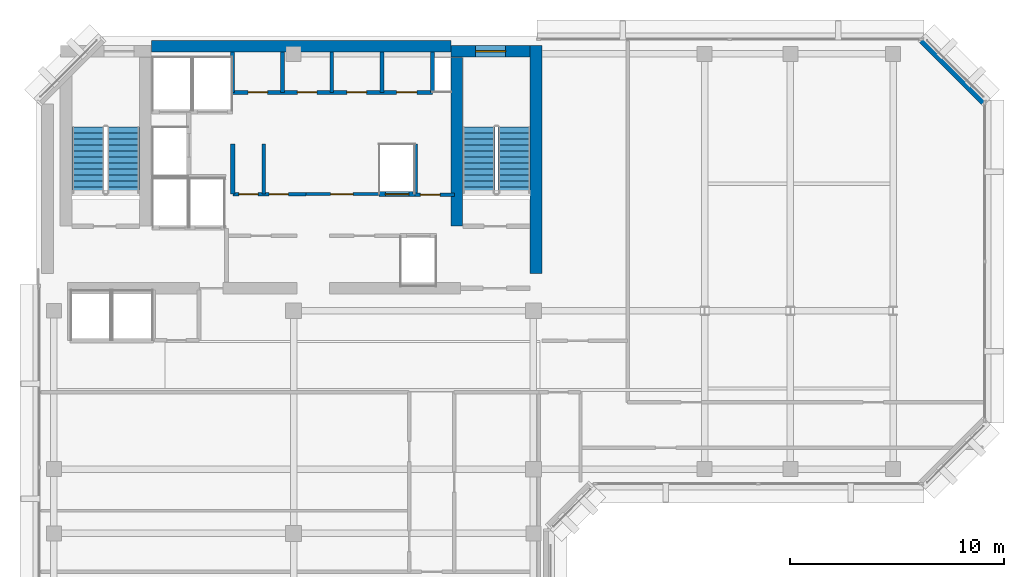
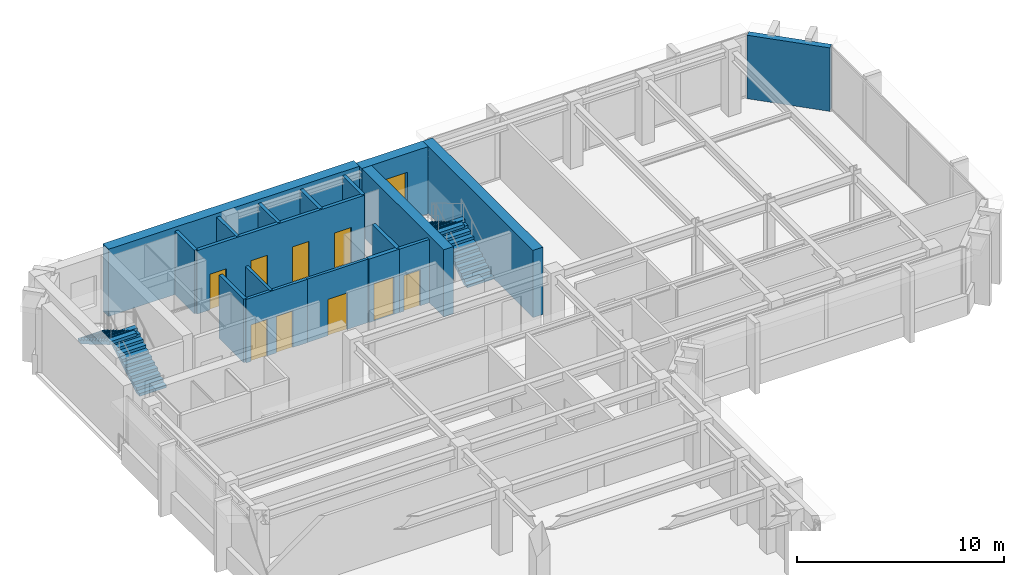
# One storey, part 8 of 12: 18 walls, 9 doors, 4 stair flights, 1 window, 10 openings, 2 elements without a shape of their own.
"""IFC4 building model written with IfcOpenShell, lengths in metres."""

from ifc_helpers import new_model, si_unit, direction, frame, frame_2d, origin, place, context, subcontext, project, spatial, polyline, rectangle, outline, extrude, material, layer, layer_set, type_object, element, fill, aggregate, save


model = new_model("IFC4")

# Units and contexts
model_context = context("Model", 3, precision=1e-05, world=origin(), true_north=direction((0.0, 1.0)))
body_context = subcontext(model_context, "Body", "Model", "MODEL_VIEW")
ifc_project = project(units=[si_unit("LENGTHUNIT", "METRE"), si_unit("AREAUNIT", "SQUARE_METRE"), si_unit("VOLUMEUNIT", "CUBIC_METRE"), si_unit("PLANEANGLEUNIT", "RADIAN"), si_unit("MASSUNIT", "GRAM", prefix="KILO")], contexts=[model_context])

# Site, building, storey
site_placement = place(None, origin())
site = spatial("IfcSite", under=ifc_project, at=site_placement, CompositionType="ELEMENT")
building_placement = place(site_placement, origin())
building = spatial("IfcBuilding", under=site, at=building_placement, Name="Kefirva Bronze Tower", CompositionType="ELEMENT")
storey_placement = place(building_placement, frame((0.0, 0.0, 327.68994140625)))
storey = spatial("IfcBuildingStorey", under=building, at=storey_placement, Name="L80", CompositionType="ELEMENT", Elevation=327.68994140625)

# Wall, opening, door
ifc_material_1 = material(Name="Gypsum acoustic partition")
ifc_layer_1 = layer(ifc_material_1, 0.14990234375, Name="Gypsum acoustic partition")
ifc_layer_set_1 = layer_set([ifc_layer_1], Name="Gypsum acoustic partition")
wall_type_1 = type_object("IfcWallType", Name="Executive Suite Partition 150mm", PredefinedType="PARTITIONING", material=ifc_layer_set_1)
wall_1_placement = place(storey_placement, frame((12.580078125, 38.64990234375, 0.0), z_axis=(0.0, 0.0, 1.0), x_axis=(1.0, 0.0, 0.0)))
wall_1 = element("IfcWall", 1, at=wall_1_placement, inside=storey, type_object=wall_type_1, Name="L80 Partition W-L80-RECMP2", PredefinedType="PARTITIONING", context=body_context, shape_type="SweptSolid", body=[
    extrude(rectangle(XDim=3.3798828125, YDim=0.14990234375, at=frame_2d((1.68994140625, 0.0))), origin(), (0.0, 0.0, 1.0), 3.739990234375),
])
opening_1_placement = place(wall_1_placement, frame((2.199951171875, 0.0, 0.0), z_axis=(0.0, 0.0, 1.0), x_axis=(-1.0, 0.0, 0.0)))
opening_1 = element("IfcOpeningElement", 2, at=opening_1_placement, cuts=wall_1, Name="Opening L80-D-RECMP2", PredefinedType="OPENING", context=body_context, shape_type="SweptSolid", body=[
    extrude(rectangle(XDim=1.050048828125, YDim=2.14990234375, at=frame_2d((0.52490234375, 1.074951171875))), frame((0.0, 0.0849609375, 0.0), z_axis=(0.0, -1.0, 0.0), x_axis=(1.0, 0.0, 0.0)), (0.0, 0.0, 1.0), 0.169921875),
])
ifc_material_2 = material(Name="Acoustic hardwood oak", Category="wood")
door_type_1 = type_object("IfcDoorType", Name="Executive & Boardroom Door 1050x2150", OperationType="NOTDEFINED", PredefinedType="DOOR", material=ifc_material_2)
door_1_placement = place(opening_1_placement, origin())
door_1 = element("IfcDoor", 3, at=door_1_placement, inside=storey, type_object=door_type_1, Name="Door L80-D-RECMP2", OperationType="SINGLE_SWING_RIGHT", OverallHeight=2.14990234375, OverallWidth=1.050048828125, PredefinedType="DOOR", context=body_context, shape_type="SweptSolid", body=[
    extrude(rectangle(XDim=1.050048828125, YDim=2.14990234375, at=frame_2d((0.52490234375, 1.074951171875))), frame((0.0, 0.02490234375, 0.0), z_axis=(0.0, -1.0, 0.0), x_axis=(1.0, 0.0, 0.0)), (0.0, 0.0, 1.0), 0.050048828125),
])
fill(opening_1, door_1)

# Walls
ifc_material_3 = material(Name="Gypsum fireboard shaftwall")
ifc_layer_2 = layer(ifc_material_3, 0.219970703125, Name="Gypsum fireboard shaftwall")
ifc_layer_set_2 = layer_set([ifc_layer_2], Name="Gypsum fireboard shaftwall")
wall_type_2 = type_object("IfcWallType", Name="Fire-Rated Shaft Enclosure Wall 220mm", PredefinedType="PARTITIONING", material=ifc_layer_set_2)
for number, where, z_axis, x_axis, name in (
    (4, (9.159912109375, 38.64990234375, 0.0), (0.0, 0.0, 1.0), (0.0, 1.0, 0.0), "L80 Partition W-L80-LP3W"),
    (5, (17.679931640625, 38.64990234375, 0.0), (0.0, 0.0, 1.0), (0.0, 1.0, 0.0), "L80 Partition W-L80-HP2E"),
):
    element("IfcWall", number, at=place(storey_placement, frame(where, z_axis=z_axis, x_axis=x_axis)), inside=storey, type_object=wall_type_2, Name=name, PredefinedType="PARTITIONING", context=body_context, shape_type="SweptSolid", body=[
        extrude(rectangle(XDim=2.35009765625, YDim=0.199951171875, at=frame_2d((1.175048828125, 0.0))), origin(), (0.0, 0.0, 1.0), 3.739990234375),
    ])

# Wall, opening, door
wall_2_placement = place(storey_placement, frame((15.97998046875, 38.64990234375, 0.0), z_axis=(0.0, 0.0, 1.0), x_axis=(1.0, 0.0, 0.0)))
wall_2 = element("IfcWall", 6, at=wall_2_placement, inside=storey, type_object=wall_type_2, Name="L80 Partition W-L80-HPN", PredefinedType="PARTITIONING", context=body_context, shape_type="SweptSolid", body=[
    extrude(rectangle(XDim=1.719970703125, YDim=0.219970703125, at=frame_2d((0.85986328125, 0.0))), origin(), (0.0, 0.0, 1.0), 3.739990234375),
])
opening_2_placement = place(wall_2_placement, frame((0.300048828125, 0.0, 0.0)))
opening_2 = element("IfcOpeningElement", 7, at=opening_2_placement, cuts=wall_2, Name="Opening L80-LD-HP2", PredefinedType="OPENING", context=body_context, shape_type="SweptSolid", body=[
    extrude(rectangle(XDim=1.10009765625, YDim=2.199951171875, at=frame_2d((0.550048828125, 1.10009765625))), frame((0.0, 0.1201171875, 0.0), z_axis=(0.0, -1.0, 0.0), x_axis=(1.0, 0.0, 0.0)), (0.0, 0.0, 1.0), 0.239990234375),
])
ifc_material_4 = material(Name="Stainless steel 316", Category="steel")
door_type_2 = type_object("IfcDoorType", Name="Passenger Lift Sliding Landing Door 1100x2200", OperationType="SLIDING_TO_LEFT", PredefinedType="DOOR", material=ifc_material_4)
door_2_placement = place(opening_2_placement, origin())
door_2 = element("IfcDoor", 8, at=door_2_placement, inside=storey, type_object=door_type_2, Name="Door L80-LD-HP2", OperationType="SLIDING_TO_LEFT", OverallHeight=2.199951171875, OverallWidth=1.10009765625, PredefinedType="DOOR", context=body_context, shape_type="SweptSolid", body=[
    extrude(rectangle(XDim=1.10009765625, YDim=2.199951171875, at=frame_2d((0.550048828125, 1.10009765625))), frame((0.0, 0.02490234375, 0.0), z_axis=(0.0, -1.0, 0.0), x_axis=(1.0, 0.0, 0.0)), (0.0, 0.0, 1.0), 0.050048828125),
])
fill(opening_2, door_2)

ifc_material_5 = material(Name="Gypsum fireboard barrier")
ifc_layer_3 = layer(ifc_material_5, 0.199951171875, Name="Gypsum fireboard barrier")
ifc_layer_set_3 = layer_set([ifc_layer_3], Name="Gypsum fireboard barrier")
wall_type_3 = type_object("IfcWallType", Name="Firefighting Lobby Barrier Wall 200mm", PredefinedType="PARTITIONING", material=ifc_layer_set_3)
wall_3_placement = place(storey_placement, frame((17.679931640625, 38.6201171875, 0.0), z_axis=(0.0, 0.0, 1.0), x_axis=(1.0, 0.0, 0.0)))
wall_3 = element("IfcWall", 9, at=wall_3_placement, inside=storey, type_object=wall_type_3, Name="L80 Partition W-L80-CPASS", PredefinedType="PARTITIONING", context=body_context, shape_type="SweptSolid", body=[
    extrude(rectangle(XDim=1.840087890625, YDim=0.179931640625, at=frame_2d((0.919921875, 0.0))), origin(), (0.0, 0.0, 1.0), 3.739990234375),
])
opening_3_placement = place(wall_3_placement, frame((0.239990234375, 0.0, 0.0)))
opening_3 = element("IfcOpeningElement", 10, at=opening_3_placement, cuts=wall_3, Name="Opening L80-D-CPAS", PredefinedType="OPENING", context=body_context, shape_type="SweptSolid", body=[
    extrude(rectangle(XDim=0.919921875, YDim=2.10009765625, at=frame_2d((0.4599609375, 1.050048828125))), frame((0.0, 0.10009765625, 0.0), z_axis=(0.0, -1.0, 0.0), x_axis=(1.0, 0.0, 0.0)), (0.0, 0.0, 1.0), 0.199951171875),
])
ifc_material_6 = material(Name="Moisture-resistant timber", Category="wood")
door_type_3 = type_object("IfcDoorType", Name="Accessible Sanitary & WC Door 920x2100", OperationType="NOTDEFINED", PredefinedType="DOOR", material=ifc_material_6)
door_3_placement = place(opening_3_placement, origin())
door_3 = element("IfcDoor", 11, at=door_3_placement, inside=storey, type_object=door_type_3, Name="Door L80-D-CPAS", OperationType="SINGLE_SWING_RIGHT", OverallHeight=2.10009765625, OverallWidth=0.919921875, PredefinedType="DOOR", context=body_context, shape_type="SweptSolid", body=[
    extrude(rectangle(XDim=0.919921875, YDim=2.10009765625, at=frame_2d((0.4599609375, 1.050048828125))), frame((0.0, 0.02490234375, 0.0), z_axis=(0.0, -1.0, 0.0), x_axis=(1.0, 0.0, 0.0)), (0.0, 0.0, 1.0), 0.050048828125),
])
fill(opening_3, door_3)

# Wall
ifc_material_7 = material(Name="Precast concrete C40/50", Category="concrete")
ifc_layer_4 = layer(ifc_material_7, 0.320068359375, Name="Precast concrete C40/50")
ifc_layer_set_4 = layer_set([ifc_layer_4], Name="Precast concrete C40/50")
wall_type_4 = type_object("IfcWallType", Name="Precast Insulated Exterior Wall 320mm", PredefinedType="SOLIDWALL", material=ifc_layer_set_4)
wall_4_placement = place(storey_placement, frame((44.248046875, 42.92578125, 0.0), z_axis=(0.0, 0.0, 1.0), x_axis=(-0.707136318428, 0.707077242712, 0.0)))
element("IfcWall", 12, at=wall_4_placement, inside=storey, type_object=wall_type_4, Name="L80 Exterior Facade Wall 8", PredefinedType="SOLIDWALL", context=body_context, shape_type="SweptSolid", body=[
    extrude(rectangle(XDim=4.132568359375, YDim=0.320068359375, at=frame_2d((2.06640625, 0.0))), origin(), (0.0, 0.0, 1.0), 3.739990234375),
])

# Wall, openings, doors
ifc_layer_5 = layer(ifc_material_1, 0.159912109375, Name="Gypsum acoustic partition")
ifc_layer_set_5 = layer_set([ifc_layer_5], Name="Gypsum acoustic partition")
wall_type_5 = type_object("IfcWallType", Name="Protected Corridor Partition 160mm", PredefinedType="PARTITIONING", material=ifc_layer_set_5)
wall_5_placement = place(storey_placement, frame((9.159912109375, 38.64990234375, 0.0), z_axis=(0.0, 0.0, 1.0), x_axis=(1.0, 0.0, 0.0)))
wall_5 = element("IfcWall", 13, at=wall_5_placement, inside=storey, type_object=wall_type_5, Name="L80 Partition W-L80-RECLP2", PredefinedType="PARTITIONING", context=body_context, shape_type="SweptSolid", body=[
    extrude(rectangle(XDim=3.420166015625, YDim=0.159912109375, at=frame_2d((1.7099609375, 0.0))), origin(), (0.0, 0.0, 1.0), 3.739990234375),
])
opening_4_placement = place(wall_5_placement, frame((1.179931640625, 0.0, 0.0), z_axis=(0.0, 0.0, 1.0), x_axis=(-1.0, 0.0, 0.0)))
opening_4 = element("IfcOpeningElement", 14, at=opening_4_placement, cuts=wall_5, Name="Opening L80-D-RECLP2A", PredefinedType="OPENING", context=body_context, shape_type="SweptSolid", body=[
    extrude(rectangle(XDim=0.89990234375, YDim=2.14990234375, at=frame_2d((0.449951171875, 1.074951171875))), frame((0.0, 0.08984375, 0.0), z_axis=(0.0, -1.0, 0.0), x_axis=(1.0, 0.0, 0.0)), (0.0, 0.0, 1.0), 0.179931640625),
])
opening_5_placement = place(wall_5_placement, frame((2.599853515625, 0.0, 0.0), z_axis=(0.0, 0.0, 1.0), x_axis=(-1.0, 0.0, 0.0)))
opening_5 = element("IfcOpeningElement", 15, at=opening_5_placement, cuts=wall_5, Name="Opening L80-D-RECLP2B", PredefinedType="OPENING", context=body_context, shape_type="SweptSolid", body=[
    extrude(rectangle(XDim=0.89990234375, YDim=2.14990234375, at=frame_2d((0.449951171875, 1.074951171875))), frame((0.0, 0.08984375, 0.0), z_axis=(0.0, -1.0, 0.0), x_axis=(1.0, 0.0, 0.0)), (0.0, 0.0, 1.0), 0.179931640625),
])
ifc_material_8 = material(Name="Painted galvanized steel", Category="steel")
door_type_4 = type_object("IfcDoorType", Name="Core Archive & Server Fire Door 900x2150 FD60S", OperationType="NOTDEFINED", PredefinedType="DOOR", material=ifc_material_8)
door_4_placement = place(opening_4_placement, origin())
door_4 = element("IfcDoor", 16, at=door_4_placement, inside=storey, type_object=door_type_4, Name="Door L80-D-RECLP2A", OperationType="SINGLE_SWING_LEFT", OverallHeight=2.14990234375, OverallWidth=0.89990234375, PredefinedType="DOOR", context=body_context, shape_type="SweptSolid", body=[
    extrude(rectangle(XDim=0.89990234375, YDim=2.14990234375, at=frame_2d((0.449951171875, 1.074951171875))), frame((0.0, 0.02490234375, 0.0), z_axis=(0.0, -1.0, 0.0), x_axis=(1.0, 0.0, 0.0)), (0.0, 0.0, 1.0), 0.050048828125),
])
fill(opening_4, door_4)
door_5_placement = place(opening_5_placement, origin())
door_5 = element("IfcDoor", 17, at=door_5_placement, inside=storey, type_object=door_type_4, Name="Door L80-D-RECLP2B", OperationType="SINGLE_SWING_RIGHT", OverallHeight=2.14990234375, OverallWidth=0.89990234375, PredefinedType="DOOR", context=body_context, shape_type="SweptSolid", body=[
    extrude(rectangle(XDim=0.89990234375, YDim=2.14990234375, at=frame_2d((0.449951171875, 1.074951171875))), frame((0.0, 0.02490234375, 0.0), z_axis=(0.0, -1.0, 0.0), x_axis=(1.0, 0.0, 0.0)), (0.0, 0.0, 1.0), 0.050048828125),
])
fill(opening_5, door_5)

# Walls
wall_6_placement = place(storey_placement, frame((10.60009765625, 38.64990234375, 0.0), z_axis=(0.0, 0.0, 1.0), x_axis=(0.0, 1.0, 0.0)))
element("IfcWall", 18, at=wall_6_placement, inside=storey, type_object=wall_type_5, Name="L80 Partition W-L80-RECLP2D", PredefinedType="PARTITIONING", context=body_context, shape_type="SweptSolid", body=[
    extrude(rectangle(XDim=2.35009765625, YDim=0.159912109375, at=frame_2d((1.175048828125, 0.0))), origin(), (0.0, 0.0, 1.0), 3.739990234375),
])
ifc_material_9 = material(Name="Concrete C50/60", Category="concrete")
ifc_layer_6 = layer(ifc_material_9, 0.550048828125, Name="Concrete C50/60")
ifc_layer_set_6 = layer_set([ifc_layer_6], Name="Concrete C50/60")
wall_type_6 = type_object("IfcWallType", Name="RC Rear Core Exterior Wall 550mm", PredefinedType="SHEAR", material=ifc_layer_set_6)
wall_7_placement = place(storey_placement, frame((5.360107421875, 45.550048828125, 0.0), z_axis=(0.0, 0.0, 1.0), x_axis=(1.0, 0.0, 0.0)))
element("IfcWall", 19, at=wall_7_placement, inside=storey, type_object=wall_type_6, Name="L80 Rear Core North Shear Wall", PredefinedType="SHEAR", context=body_context, shape_type="SweptSolid", body=[
    extrude(rectangle(XDim=13.97998046875, YDim=0.550048828125, at=frame_2d((6.989990234375, 0.0))), origin(), (0.0, 0.0, 1.0), 3.9599609375),
])

# Wall, opening, window
wall_8_placement = place(storey_placement, frame((19.35009765625, 45.320068359375, 0.0), z_axis=(0.0, 0.0, 1.0), x_axis=(1.0, 0.0, 0.0)))
wall_8 = element("IfcWall", 20, at=wall_8_placement, inside=storey, type_object=wall_type_6, Name="L80 Stair 2 North Shear Wall", PredefinedType="SHEAR", context=body_context, shape_type="SweptSolid", body=[
    extrude(rectangle(XDim=3.68994140625, YDim=0.550048828125, at=frame_2d((1.844970703125, 0.0))), origin(), (0.0, 0.0, 1.0), 3.9599609375),
])
opening_6_placement = place(wall_8_placement, frame((1.14990234375, 0.0, 1.050048828125)))
opening_6 = element("IfcOpeningElement", 21, at=opening_6_placement, cuts=wall_8, Name="Opening WN-03", PredefinedType="OPENING", context=body_context, shape_type="SweptSolid", body=[
    extrude(rectangle(XDim=1.39990234375, YDim=1.800048828125, at=frame_2d((0.699951171875, 0.89990234375))), frame((0.0, 0.28515625, 0.0), z_axis=(0.0, -1.0, 0.0), x_axis=(1.0, 0.0, 0.0)), (0.0, 0.0, 1.0), 0.570068359375),
])
ifc_material_10 = material(Name="Laminated low-E double glazing", Category="glass")
window_type = type_object("IfcWindowType", Name="Rear-Core Stair Daylight Window 1400x1800", PartitioningType="SINGLE_PANEL", PredefinedType="WINDOW", material=ifc_material_10)
window_placement = place(opening_6_placement, origin())
window = element("IfcWindow", 22, at=window_placement, inside=storey, type_object=window_type, Name="L80 Stair 2 Daylight Window", OverallHeight=1.800048828125, OverallWidth=1.39990234375, PartitioningType="SINGLE_PANEL", PredefinedType="WINDOW", context=body_context, shape_type="SweptSolid", body=[
    extrude(rectangle(XDim=1.39990234375, YDim=1.800048828125, at=frame_2d((0.699951171875, 0.89990234375))), frame((0.0, 0.030029296875, 0.0), z_axis=(0.0, -1.0, 0.0), x_axis=(1.0, 0.0, 0.0)), (0.0, 0.0, 1.0), 0.06005859375),
])
fill(opening_6, window)

# Walls
ifc_layer_7 = layer(ifc_material_9, 0.550048828125, Name="Concrete C50/60")
ifc_layer_set_7 = layer_set([ifc_layer_7], Name="Concrete C50/60")
wall_type_7 = type_object("IfcWallType", Name="RC Rear Core Interior Wall 550mm", PredefinedType="SHEAR", material=ifc_layer_set_7)
wall_9_placement = place(storey_placement, frame((23.324951171875, 34.949951171875, 0.0), z_axis=(0.0, 0.0, 1.0), x_axis=(0.0, 1.0, 0.0)))
element("IfcWall", 23, at=wall_9_placement, inside=storey, type_object=wall_type_7, Name="L80 Rear Core East Shear Wall", PredefinedType="SHEAR", context=body_context, shape_type="SweptSolid", body=[
    extrude(rectangle(XDim=10.64013671875, YDim=0.550048828125, at=frame_2d((5.320068359375, 0.0))), origin(), (0.0, 0.0, 1.0), 3.9599609375),
])
wall_10_placement = place(storey_placement, frame((19.6201171875, 37.14990234375, 0.0), z_axis=(0.0, 0.0, 1.0), x_axis=(0.0, 1.0, 0.0)))
element("IfcWall", 24, at=wall_10_placement, inside=storey, type_object=wall_type_7, Name="L80 Stair 2 West Shear Wall", PredefinedType="SHEAR", context=body_context, shape_type="SweptSolid", body=[
    extrude(rectangle(XDim=7.89013671875, YDim=0.550048828125, at=frame_2d((3.945068359375, 0.0))), origin(), (0.0, 0.0, 1.0), 3.9599609375),
])

# Wall, openings, doors
ifc_material_11 = material(Name="Moisture-resistant partition")
ifc_layer_8 = layer(ifc_material_11, 0.179931640625, Name="Moisture-resistant partition")
ifc_layer_set_8 = layer_set([ifc_layer_8], Name="Moisture-resistant partition")
wall_type_8 = type_object("IfcWallType", Name="Sanitary Plumbing Chase Wall 180mm", PredefinedType="PLUMBINGWALL", material=ifc_layer_set_8)
wall_11_placement = place(storey_placement, frame((9.14990234375, 43.39990234375, 0.0), z_axis=(0.0, 0.0, 1.0), x_axis=(1.0, 0.0, 0.0)))
wall_11 = element("IfcWall", 25, at=wall_11_placement, inside=storey, type_object=wall_type_8, Name="L80 Partition W-L80-SVCS", PredefinedType="PLUMBINGWALL", context=body_context, shape_type="SweptSolid", body=[
    extrude(rectangle(XDim=9.330078125, YDim=0.179931640625, at=frame_2d((4.6650390625, 0.0))), origin(), (0.0, 0.0, 1.0), 3.739990234375),
])
opening_7_placement = place(wall_11_placement, frame((0.719970703125, 0.0, 0.0)))
opening_7 = element("IfcOpeningElement", 26, at=opening_7_placement, cuts=wall_11, Name="Opening L80-D-CSVC1", PredefinedType="OPENING", context=body_context, shape_type="SweptSolid", body=[
    extrude(rectangle(XDim=0.919921875, YDim=2.10009765625, at=frame_2d((0.4599609375, 1.050048828125))), frame((0.0, 0.10009765625, 0.0), z_axis=(0.0, -1.0, 0.0), x_axis=(1.0, 0.0, 0.0)), (0.0, 0.0, 1.0), 0.199951171875),
])
opening_8_placement = place(wall_11_placement, frame((3.02001953125, 0.0, 0.0)))
opening_8 = element("IfcOpeningElement", 27, at=opening_8_placement, cuts=wall_11, Name="Opening L80-D-CSVC2", PredefinedType="OPENING", context=body_context, shape_type="SweptSolid", body=[
    extrude(rectangle(XDim=0.919921875, YDim=2.10009765625, at=frame_2d((0.4599609375, 1.050048828125))), frame((0.0, 0.10009765625, 0.0), z_axis=(0.0, -1.0, 0.0), x_axis=(1.0, 0.0, 0.0)), (0.0, 0.0, 1.0), 0.199951171875),
])
opening_9_placement = place(wall_11_placement, frame((5.340087890625, 0.0, 0.0)))
opening_9 = element("IfcOpeningElement", 28, at=opening_9_placement, cuts=wall_11, Name="Opening L80-D-CSVC3", PredefinedType="OPENING", context=body_context, shape_type="SweptSolid", body=[
    extrude(rectangle(XDim=0.919921875, YDim=2.10009765625, at=frame_2d((0.4599609375, 1.050048828125))), frame((0.0, 0.10009765625, 0.0), z_axis=(0.0, -1.0, 0.0), x_axis=(1.0, 0.0, 0.0)), (0.0, 0.0, 1.0), 0.199951171875),
])
opening_10_placement = place(wall_11_placement, frame((7.659912109375, 0.0, 0.0)))
opening_10 = element("IfcOpeningElement", 29, at=opening_10_placement, cuts=wall_11, Name="Opening L80-D-CSVC4", PredefinedType="OPENING", context=body_context, shape_type="SweptSolid", body=[
    extrude(rectangle(XDim=0.949951171875, YDim=2.10009765625, at=frame_2d((0.47509765625, 1.050048828125))), frame((0.0, 0.10009765625, 0.0), z_axis=(0.0, -1.0, 0.0), x_axis=(1.0, 0.0, 0.0)), (0.0, 0.0, 1.0), 0.199951171875),
])
door_6_placement = place(opening_7_placement, origin())
door_6 = element("IfcDoor", 30, at=door_6_placement, inside=storey, type_object=door_type_3, Name="Door L80-D-CSVC1", OperationType="SINGLE_SWING_LEFT", OverallHeight=2.10009765625, OverallWidth=0.919921875, PredefinedType="DOOR", context=body_context, shape_type="SweptSolid", body=[
    extrude(rectangle(XDim=0.919921875, YDim=2.10009765625, at=frame_2d((0.4599609375, 1.050048828125))), frame((0.0, 0.02490234375, 0.0), z_axis=(0.0, -1.0, 0.0), x_axis=(1.0, 0.0, 0.0)), (0.0, 0.0, 1.0), 0.050048828125),
])
fill(opening_7, door_6)
door_7_placement = place(opening_8_placement, origin())
door_7 = element("IfcDoor", 31, at=door_7_placement, inside=storey, type_object=door_type_3, Name="Door L80-D-CSVC2", OperationType="SINGLE_SWING_RIGHT", OverallHeight=2.10009765625, OverallWidth=0.919921875, PredefinedType="DOOR", context=body_context, shape_type="SweptSolid", body=[
    extrude(rectangle(XDim=0.919921875, YDim=2.10009765625, at=frame_2d((0.4599609375, 1.050048828125))), frame((0.0, 0.02490234375, 0.0), z_axis=(0.0, -1.0, 0.0), x_axis=(1.0, 0.0, 0.0)), (0.0, 0.0, 1.0), 0.050048828125),
])
fill(opening_8, door_7)
door_8_placement = place(opening_9_placement, origin())
door_8 = element("IfcDoor", 32, at=door_8_placement, inside=storey, type_object=door_type_3, Name="Door L80-D-CSVC3", OperationType="SINGLE_SWING_LEFT", OverallHeight=2.10009765625, OverallWidth=0.919921875, PredefinedType="DOOR", context=body_context, shape_type="SweptSolid", body=[
    extrude(rectangle(XDim=0.919921875, YDim=2.10009765625, at=frame_2d((0.4599609375, 1.050048828125))), frame((0.0, 0.02490234375, 0.0), z_axis=(0.0, -1.0, 0.0), x_axis=(1.0, 0.0, 0.0)), (0.0, 0.0, 1.0), 0.050048828125),
])
fill(opening_9, door_8)
door_type_5 = type_object("IfcDoorType", Name="Riser & Plant Shaft Fire Door 950x2100 FD60S", OperationType="NOTDEFINED", PredefinedType="DOOR", material=ifc_material_8)
door_9_placement = place(opening_10_placement, origin())
door_9 = element("IfcDoor", 33, at=door_9_placement, inside=storey, type_object=door_type_5, Name="Door L80-D-CSVC4", OperationType="SINGLE_SWING_RIGHT", OverallHeight=2.10009765625, OverallWidth=0.949951171875, PredefinedType="DOOR", context=body_context, shape_type="SweptSolid", body=[
    extrude(rectangle(XDim=0.949951171875, YDim=2.10009765625, at=frame_2d((0.47509765625, 1.050048828125))), frame((0.0, 0.02490234375, 0.0), z_axis=(0.0, -1.0, 0.0), x_axis=(1.0, 0.0, 0.0)), (0.0, 0.0, 1.0), 0.050048828125),
])
fill(opening_10, door_9)

# Walls
for number, where, z_axis, x_axis, name in (
    (34, (9.14990234375, 43.39990234375, 0.0), (0.0, 0.0, 1.0), (0.0, 1.0, 0.0), "L80 Partition W-L80-SVCW"),
    (35, (18.47998046875, 43.39990234375, 0.0), (0.0, 0.0, 1.0), (0.0, 1.0, 0.0), "L80 Partition W-L80-SVCE"),
    (36, (11.47998046875, 43.39990234375, 0.0), (0.0, 0.0, 1.0), (0.0, 1.0, 0.0), "L80 Partition W-L80-CSVD-1"),
    (37, (13.780029296875, 43.39990234375, 0.0), (0.0, 0.0, 1.0), (0.0, 1.0, 0.0), "L80 Partition W-L80-CSVD-2"),
    (38, (16.1201171875, 43.39990234375, 0.0), (0.0, 0.0, 1.0), (0.0, 1.0, 0.0), "L80 Partition W-L80-CSVD-3"),
):
    element("IfcWall", number, at=place(storey_placement, frame(where, z_axis=z_axis, x_axis=x_axis)), inside=storey, type_object=wall_type_8, Name=name, PredefinedType="PLUMBINGWALL", context=body_context, shape_type="SweptSolid", body=[
        extrude(rectangle(XDim=1.880126953125, YDim=0.179931640625, at=frame_2d((0.93994140625, 0.0))), origin(), (0.0, 0.0, 1.0), 3.739990234375),
    ])

# Stair, stair flights
ifc_material_12 = material(Name="Concrete C40/50", Category="concrete")
stair_type = type_object("IfcStairType", Name="RC Dogleg Protected Stair 24R", PredefinedType="HALF_TURN_STAIR", material=ifc_material_12)
stair_1_placement = place(storey_placement, origin())
stair_1 = element("IfcStair", 39, at=stair_1_placement, inside=storey, type_object=stair_type, Name="L80 Protected Exit Stair 1", PredefinedType="HALF_TURN_STAIR")
stair_flight_type = type_object("IfcStairFlightType", Name="RC Straight Stair Flight 24R", PredefinedType="STRAIGHT", material=ifc_material_12)
stair_flight_1_placement = place(storey_placement, frame((4.050048828125, 38.699951171875, 0.0), z_axis=(0.0, 0.0, 1.0), x_axis=(0.0, 1.0, 0.0)))
stair_flight_1 = element("IfcStairFlight", 40, at=stair_flight_1_placement, type_object=stair_flight_type, Name="ST-1 flight 1", NumberOfRisers=12, NumberOfTreads=11, PredefinedType="STRAIGHT", RiserHeight=0.165, TreadLength=0.28, context=body_context, shape_type="SweptSolid", body=[
    extrude(outline(polyline([(0.0, 0.0), (0.0, 0.1650390625), (0.280029296875, 0.1650390625), (0.280029296875, 0.330078125), (0.56005859375, 0.330078125), (0.56005859375, 0.4951171875), (0.840087890625, 0.4951171875), (0.840087890625, 0.659912109375), (1.1201171875, 0.659912109375), (1.1201171875, 0.824951171875), (1.39990234375, 0.824951171875), (1.39990234375, 0.989990234375), (1.679931640625, 0.989990234375), (1.679931640625, 1.155029296875), (1.9599609375, 1.155029296875), (1.9599609375, 1.320068359375), (2.239990234375, 1.320068359375), (2.239990234375, 1.485107421875), (2.52001953125, 1.485107421875), (2.52001953125, 1.64990234375), (2.800048828125, 1.64990234375), (2.800048828125, 1.81494140625), (3.080078125, 1.81494140625), (3.080078125, 1.97998046875), (3.080078125, 1.64111328125), (0.295166015625, 0.0), (0.0, 0.0)])), frame((0.0, 0.75, 0.0), z_axis=(0.0, -1.0, 0.0), x_axis=(1.0, 0.0, 0.0)), (0.0, 0.0, 1.0), 1.5),
])
stair_flight_2_placement = place(storey_placement, frame((2.39990234375, 41.780029296875, 1.97998046875), z_axis=(0.0, 0.0, 1.0), x_axis=(0.0, -1.0, 0.0)))
stair_flight_2 = element("IfcStairFlight", 41, at=stair_flight_2_placement, type_object=stair_flight_type, Name="ST-1 flight 2", NumberOfRisers=12, NumberOfTreads=11, PredefinedType="STRAIGHT", RiserHeight=0.165, TreadLength=0.28, context=body_context, shape_type="SweptSolid", body=[
    extrude(outline(polyline([(0.0, 0.0), (0.0, 0.1650390625), (0.280029296875, 0.1650390625), (0.280029296875, 0.330078125), (0.56005859375, 0.330078125), (0.56005859375, 0.4951171875), (0.840087890625, 0.4951171875), (0.840087890625, 0.659912109375), (1.1201171875, 0.659912109375), (1.1201171875, 0.824951171875), (1.39990234375, 0.824951171875), (1.39990234375, 0.989990234375), (1.679931640625, 0.989990234375), (1.679931640625, 1.155029296875), (1.9599609375, 1.155029296875), (1.9599609375, 1.320068359375), (2.239990234375, 1.320068359375), (2.239990234375, 1.485107421875), (2.52001953125, 1.485107421875), (2.52001953125, 1.64990234375), (2.800048828125, 1.64990234375), (2.800048828125, 1.81494140625), (3.080078125, 1.81494140625), (3.080078125, 1.97998046875), (3.080078125, 1.64111328125), (0.295166015625, 0.0), (0.0, 0.0)])), frame((0.0, 0.75, 0.0), z_axis=(0.0, -1.0, 0.0), x_axis=(1.0, 0.0, 0.0)), (0.0, 0.0, 1.0), 1.5),
])
aggregate(stair_1, [stair_flight_1, stair_flight_2])

stair_2_placement = place(storey_placement, origin())
stair_2 = element("IfcStair", 42, at=stair_2_placement, inside=storey, type_object=stair_type, Name="L80 Protected Exit Stair 2", PredefinedType="HALF_TURN_STAIR")
stair_flight_3_placement = place(storey_placement, frame((22.300048828125, 38.699951171875, 0.0), z_axis=(0.0, 0.0, 1.0), x_axis=(0.0, 1.0, 0.0)))
stair_flight_3 = element("IfcStairFlight", 43, at=stair_flight_3_placement, type_object=stair_flight_type, Name="ST-2 flight 1", NumberOfRisers=12, NumberOfTreads=11, PredefinedType="STRAIGHT", RiserHeight=0.165, TreadLength=0.28, context=body_context, shape_type="SweptSolid", body=[
    extrude(outline(polyline([(0.0, 0.0), (0.0, 0.1650390625), (0.280029296875, 0.1650390625), (0.280029296875, 0.330078125), (0.56005859375, 0.330078125), (0.56005859375, 0.4951171875), (0.840087890625, 0.4951171875), (0.840087890625, 0.659912109375), (1.1201171875, 0.659912109375), (1.1201171875, 0.824951171875), (1.39990234375, 0.824951171875), (1.39990234375, 0.989990234375), (1.679931640625, 0.989990234375), (1.679931640625, 1.155029296875), (1.9599609375, 1.155029296875), (1.9599609375, 1.320068359375), (2.239990234375, 1.320068359375), (2.239990234375, 1.485107421875), (2.52001953125, 1.485107421875), (2.52001953125, 1.64990234375), (2.800048828125, 1.64990234375), (2.800048828125, 1.81494140625), (3.080078125, 1.81494140625), (3.080078125, 1.97998046875), (3.080078125, 1.64111328125), (0.295166015625, 0.0), (0.0, 0.0)])), frame((0.0, 0.75, 0.0), z_axis=(0.0, -1.0, 0.0), x_axis=(1.0, 0.0, 0.0)), (0.0, 0.0, 1.0), 1.5),
])
stair_flight_4_placement = place(storey_placement, frame((20.64990234375, 41.780029296875, 1.97998046875), z_axis=(0.0, 0.0, 1.0), x_axis=(0.0, -1.0, 0.0)))
stair_flight_4 = element("IfcStairFlight", 44, at=stair_flight_4_placement, type_object=stair_flight_type, Name="ST-2 flight 2", NumberOfRisers=12, NumberOfTreads=11, PredefinedType="STRAIGHT", RiserHeight=0.165, TreadLength=0.28, context=body_context, shape_type="SweptSolid", body=[
    extrude(outline(polyline([(0.0, 0.0), (0.0, 0.1650390625), (0.280029296875, 0.1650390625), (0.280029296875, 0.330078125), (0.56005859375, 0.330078125), (0.56005859375, 0.4951171875), (0.840087890625, 0.4951171875), (0.840087890625, 0.659912109375), (1.1201171875, 0.659912109375), (1.1201171875, 0.824951171875), (1.39990234375, 0.824951171875), (1.39990234375, 0.989990234375), (1.679931640625, 0.989990234375), (1.679931640625, 1.155029296875), (1.9599609375, 1.155029296875), (1.9599609375, 1.320068359375), (2.239990234375, 1.320068359375), (2.239990234375, 1.485107421875), (2.52001953125, 1.485107421875), (2.52001953125, 1.64990234375), (2.800048828125, 1.64990234375), (2.800048828125, 1.81494140625), (3.080078125, 1.81494140625), (3.080078125, 1.97998046875), (3.080078125, 1.64111328125), (0.295166015625, 0.0), (0.0, 0.0)])), frame((0.0, 0.75, 0.0), z_axis=(0.0, -1.0, 0.0), x_axis=(1.0, 0.0, 0.0)), (0.0, 0.0, 1.0), 1.5),
])
aggregate(stair_2, [stair_flight_3, stair_flight_4])

save(model, "model.ifc")
